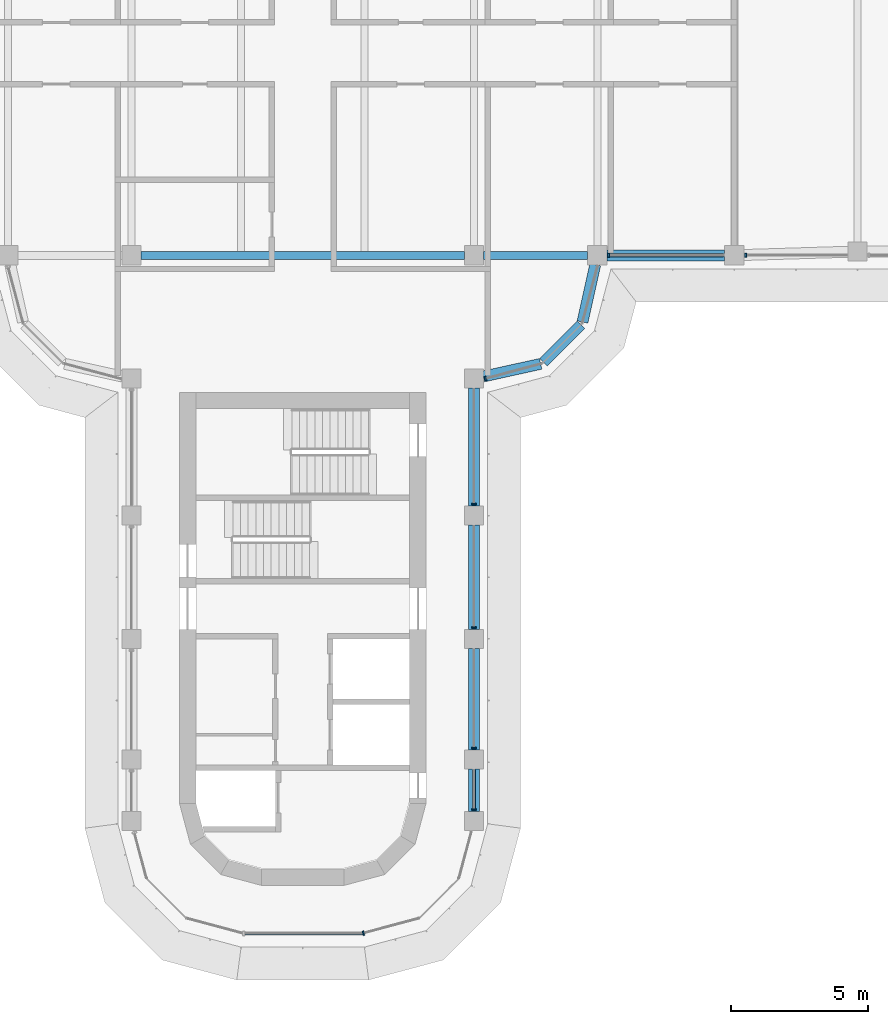
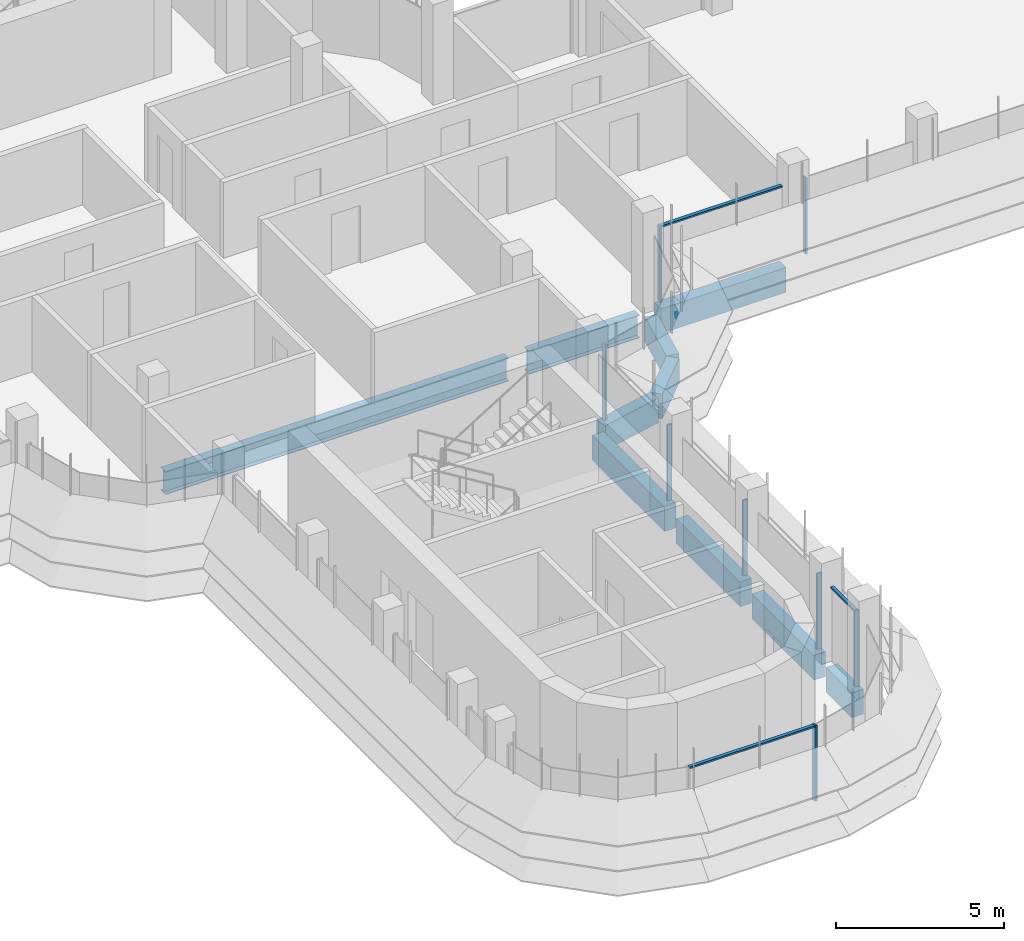
# One storey, part 4 of 18: 11 members, 10 beams, 5 elements without a shape of their own.
"""IFC4 building model written with IfcOpenShell, lengths in metres."""

from ifc_helpers import new_model, si_unit, direction, frame, origin, origin_2d, place, context, subcontext, project, spatial, polyline, rectangle, i_section, outline, extrude, source, transform, mapped, material, material_profile, profile_set, type_object, element, aggregate, save


model = new_model("IFC4")

# Units and contexts
model_context = context("Model", 3, precision=1e-05, world=origin(), true_north=direction((0.0, 1.0)))
body_context = subcontext(model_context, "Body", "Model", "MODEL_VIEW")
ifc_project = project(units=[si_unit("LENGTHUNIT", "METRE"), si_unit("AREAUNIT", "SQUARE_METRE"), si_unit("VOLUMEUNIT", "CUBIC_METRE"), si_unit("PLANEANGLEUNIT", "RADIAN"), si_unit("MASSUNIT", "GRAM", prefix="KILO")], contexts=[model_context])

# Site, building, storey
site_placement = place(None, origin())
site = spatial("IfcSite", under=ifc_project, at=site_placement, CompositionType="ELEMENT")
building_placement = place(site_placement, origin())
building = spatial("IfcBuilding", under=site, at=building_placement, Name="Zarbagh Exchange Tower", CompositionType="ELEMENT")
storey_placement = place(building_placement, frame((0.0, 0.0, 210.60009765625)))
storey = spatial("IfcBuildingStorey", under=building, at=storey_placement, Name="L51", CompositionType="ELEMENT", Elevation=210.60009765625)

# Beams
ifc_material_1 = material(Name="Steel ASTM A992 Gr 50", Category="steel")
ifc_material_profile_1 = material_profile(ifc_material_1, i_section(OverallWidth=0.2919921875, OverallDepth=0.835693359375, WebThickness=0.013916015625, FlangeThickness=0.018798828125, at=origin_2d()), Name="W33X118")
ifc_profile_set_1 = profile_set([ifc_material_profile_1], Name="Steel ASTM A992 Gr 50")
beam_type_1 = type_object("IfcBeamType", Name="Floor girder W33X118", PredefinedType="BEAM", material=ifc_profile_set_1)
beam_1_placement = place(storey_placement, frame((-5.89990234375, -6.25, -0.56787109375), z_axis=(1.0, 0.0, 0.0), x_axis=(0.0, 1.0, 0.0)))
element("IfcBeam", 1, at=beam_1_placement, inside=storey, type_object=beam_type_1, Name="Steel girder", PredefinedType="BEAM", context=body_context, shape_type="SweptSolid", body=[
    extrude(i_section(OverallWidth=0.2919921875, OverallDepth=0.835693359375, WebThickness=0.013916015625, FlangeThickness=0.018798828125, at=origin_2d()), origin(), (0.0, 0.0, 1.0), 11.7998046875),
])
beam_2_placement = place(storey_placement, frame((6.60009765625, -6.25, -0.56787109375), z_axis=(1.0, 0.0, 0.0), x_axis=(0.0, 1.0, 0.0)))
element("IfcBeam", 2, at=beam_2_placement, inside=storey, type_object=beam_type_1, Name="Steel girder", PredefinedType="BEAM", context=body_context, shape_type="SweptSolid", body=[
    extrude(i_section(OverallWidth=0.2919921875, OverallDepth=0.835693359375, WebThickness=0.013916015625, FlangeThickness=0.018798828125, at=origin_2d()), origin(), (0.0, 0.0, 1.0), 3.7998046875),
])
ifc_material_2 = material(Name="Concrete C50/60", Category="concrete")
ifc_material_profile_2 = material_profile(ifc_material_2, rectangle(XDim=0.39990234375, YDim=0.89990234375, at=origin_2d()), Name="RC spandrel beam 400 x 900 C50/60")
ifc_profile_set_2 = profile_set([ifc_material_profile_2], Name="Concrete C50/60")
beam_type_2 = type_object("IfcBeamType", Name="RC spandrel beam 400 x 900 C50/60", PredefinedType="SPANDREL", material=ifc_profile_set_2)
beam_3_placement = place(storey_placement, frame((15.39990234375, -6.25, -0.60009765625), z_axis=(-1.0, 0.0, 0.0), x_axis=(0.0, -1.0, 0.0)))
element("IfcBeam", 3, at=beam_3_placement, inside=storey, type_object=beam_type_2, Name="RC spandrel beam", PredefinedType="SPANDREL", context=body_context, shape_type="SweptSolid", body=[
    extrude(rectangle(XDim=0.39990234375, YDim=0.89990234375, at=origin_2d()), origin(), (0.0, 0.0, 1.0), 4.2998046875),
])
beam_4_placement = place(storey_placement, frame((10.67431640625, -6.591796875, -0.60009765625), z_axis=(-0.216013551096, -0.97639036545, 0.0), x_axis=(0.97639036545, -0.216013551096, 0.0)))
element("IfcBeam", 4, at=beam_4_placement, inside=storey, type_object=beam_type_2, Name="RC spandrel beam", PredefinedType="SPANDREL", context=body_context, shape_type="SweptSolid", body=[
    extrude(rectangle(XDim=0.39990234375, YDim=0.89990234375, at=origin_2d()), origin(), (0.0, 0.0, 1.0), 2.142822265625),
])
beam_5_placement = place(storey_placement, frame((10.15771484375, -8.782470703125, -0.60009765625), z_axis=(-0.707106781187, -0.707106781187, 0.0), x_axis=(0.707106781187, -0.707106781187, 0.0)))
element("IfcBeam", 5, at=beam_5_placement, inside=storey, type_object=beam_type_2, Name="RC spandrel beam", PredefinedType="SPANDREL", context=body_context, shape_type="SweptSolid", body=[
    extrude(rectangle(XDim=0.39990234375, YDim=0.89990234375, at=origin_2d()), origin(), (0.0, 0.0, 1.0), 1.94482421875),
])
beam_6_placement = place(storey_placement, frame((8.68408203125, -10.21142578125, -0.60009765625), z_axis=(-0.97639036545, -0.216013551096, 0.0), x_axis=(0.216013551096, -0.97639036545, 0.0)))
element("IfcBeam", 6, at=beam_6_placement, inside=storey, type_object=beam_type_2, Name="RC spandrel beam", PredefinedType="SPANDREL", context=body_context, shape_type="SweptSolid", body=[
    extrude(rectangle(XDim=0.39990234375, YDim=0.89990234375, at=origin_2d()), origin(), (0.0, 0.0, 1.0), 2.142822265625),
])
beam_7_placement = place(storey_placement, frame((6.25, -11.10009765625, -0.60009765625), z_axis=(0.0, -1.0, 0.0), x_axis=(1.0, 0.0, 0.0)))
element("IfcBeam", 7, at=beam_7_placement, inside=storey, type_object=beam_type_2, Name="RC spandrel beam", PredefinedType="SPANDREL", context=body_context, shape_type="SweptSolid", body=[
    extrude(rectangle(XDim=0.39990234375, YDim=0.89990234375, at=origin_2d()), origin(), (0.0, 0.0, 1.0), 4.2998046875),
])
beam_8_placement = place(storey_placement, frame((6.25, -16.10009765625, -0.60009765625), z_axis=(0.0, -1.0, 0.0), x_axis=(1.0, 0.0, 0.0)))
element("IfcBeam", 8, at=beam_8_placement, inside=storey, type_object=beam_type_2, Name="RC spandrel beam", PredefinedType="SPANDREL", context=body_context, shape_type="SweptSolid", body=[
    extrude(rectangle(XDim=0.39990234375, YDim=0.89990234375, at=origin_2d()), origin(), (0.0, 0.0, 1.0), 3.7998046875),
])
beam_9_placement = place(storey_placement, frame((6.25, -20.60009765625, -0.60009765625), z_axis=(0.0, -1.0, 0.0), x_axis=(1.0, 0.0, 0.0)))
element("IfcBeam", 9, at=beam_9_placement, inside=storey, type_object=beam_type_2, Name="RC spandrel beam", PredefinedType="SPANDREL", context=body_context, shape_type="SweptSolid", body=[
    extrude(rectangle(XDim=0.39990234375, YDim=0.89990234375, at=origin_2d()), origin(), (0.0, 0.0, 1.0), 3.699951171875),
])
beam_10_placement = place(storey_placement, frame((6.25, -25.0, -0.60009765625), z_axis=(0.0, -1.0, 0.0), x_axis=(1.0, 0.0, 0.0)))
element("IfcBeam", 10, at=beam_10_placement, inside=storey, type_object=beam_type_2, Name="RC spandrel beam", PredefinedType="SPANDREL", context=body_context, shape_type="SweptSolid", body=[
    extrude(rectangle(XDim=0.39990234375, YDim=0.89990234375, at=origin_2d()), origin(), (0.0, 0.0, 1.0), 1.550048828125),
])

# Curtain wall, member
ifc_material_3 = material(Name="Anodised aluminium frame and glazing", Category="aluminium")
curtain_wall_type = type_object("IfcCurtainWallType", Name="CWB Ribbon glazing, upper zones", PredefinedType="NOTDEFINED", material=ifc_material_3)
curtain_wall_1_placement = place(storey_placement, origin())
curtain_wall_1 = element("IfcCurtainWall", 11, at=curtain_wall_1_placement, inside=storey, type_object=curtain_wall_type, Name="CWB49 curtain wall", PredefinedType="NOTDEFINED")
ifc_material_4 = material(Name="Anodised aluminium frame", Category="aluminium")
member_type_1 = type_object("IfcMemberType", Name="MUB Mullion, anodised aluminium frame", PredefinedType="MULLION", material=ifc_material_4)
shared_shape_1 = source(origin(), body_context, "Body", "SweptSolid", [
    extrude(outline(polyline([(0.0, -0.080078125), (0.06005859375, -0.080078125), (0.06005859375, 0.080078125), (0.0, 0.080078125), (0.0, -0.080078125)])), origin(), (0.0, 0.0, 1.0), 2.75),
])
placement = place(storey_placement, origin())
member_1 = element("IfcMember", 12, at=placement, type_object=member_type_1, Name="CWB49 mullion 1.1", PredefinedType="MULLION", context=body_context, shape_type="MappedRepresentation", body=[
    mapped(shared_shape_1, transform((2.18408203125, -31.0, 0.0), x_axis=(0.965924289636, 0.258824779902, 0.0), y_axis=(-0.258824779902, 0.965924289636, 0.0), z_axis=(0.0, 0.0, 1.0))),
])
aggregate(curtain_wall_1, [member_1])

# Curtain wall, members
curtain_wall_2_placement = place(storey_placement, origin())
curtain_wall_2 = element("IfcCurtainWall", 13, at=curtain_wall_2_placement, inside=storey, type_object=curtain_wall_type, Name="CWB52 curtain wall", PredefinedType="NOTDEFINED")
member_2 = element("IfcMember", 14, at=placement, type_object=member_type_1, Name="CWB52 mullion 1.1", PredefinedType="MULLION", context=body_context, shape_type="MappedRepresentation", body=[
    mapped(shared_shape_1, transform((6.25, -26.510009765625, 0.0), x_axis=(0.0, 1.0, 0.0), y_axis=(-1.0, 0.0, 0.0), z_axis=(0.0, 0.0, 1.0))),
])
member_3 = element("IfcMember", 15, at=placement, type_object=member_type_1, Name="CWB52 mullion 2.1", PredefinedType="MULLION", context=body_context, shape_type="MappedRepresentation", body=[
    mapped(shared_shape_1, transform((6.25, -24.260009765625, 0.0), x_axis=(0.0, 1.0, 0.0), y_axis=(-1.0, 0.0, 0.0), z_axis=(0.0, 0.0, 1.0))),
])
member_4 = element("IfcMember", 16, at=placement, type_object=member_type_1, Name="CWB52 mullion 3.1", PredefinedType="MULLION", context=body_context, shape_type="MappedRepresentation", body=[
    mapped(shared_shape_1, transform((6.25, -19.85986328125, 0.0), x_axis=(0.0, 1.0, 0.0), y_axis=(-1.0, 0.0, 0.0), z_axis=(0.0, 0.0, 1.0))),
])
member_5 = element("IfcMember", 17, at=placement, type_object=member_type_1, Name="CWB52 mullion 4.1", PredefinedType="MULLION", context=body_context, shape_type="MappedRepresentation", body=[
    mapped(shared_shape_1, transform((6.25, -15.35986328125, 0.0), x_axis=(0.0, 1.0, 0.0), y_axis=(-1.0, 0.0, 0.0), z_axis=(0.0, 0.0, 1.0))),
])

# Curtain wall, member
curtain_wall_3_placement = place(storey_placement, origin())
curtain_wall_3 = element("IfcCurtainWall", 18, at=curtain_wall_3_placement, inside=storey, type_object=curtain_wall_type, Name="CWB05 curtain wall", PredefinedType="NOTDEFINED")
member_6 = element("IfcMember", 19, at=placement, type_object=member_type_1, Name="CWB05 mullion 1.1", PredefinedType="MULLION", context=body_context, shape_type="MappedRepresentation", body=[
    mapped(shared_shape_1, transform((6.64013671875, -10.76171875, 0.0), x_axis=(0.965924289636, 0.258824779902, 0.0), y_axis=(-0.258824779902, 0.965924289636, 0.0), z_axis=(0.0, 0.0, 1.0))),
])
aggregate(curtain_wall_3, [member_6])

# Curtain wall, members
curtain_wall_4_placement = place(storey_placement, origin())
curtain_wall_4 = element("IfcCurtainWall", 20, at=curtain_wall_4_placement, inside=storey, type_object=curtain_wall_type, Name="CWB08 curtain wall", PredefinedType="NOTDEFINED")
member_7 = element("IfcMember", 21, at=placement, type_object=member_type_1, Name="CWB08 mullion 1.1", PredefinedType="MULLION", context=body_context, shape_type="MappedRepresentation", body=[
    mapped(shared_shape_1, transform((11.14013671875, -6.25, 0.0), x_axis=(1.0, 0.0, 0.0), y_axis=(0.0, 1.0, 0.0), z_axis=(0.0, 0.0, 1.0))),
])
member_8 = element("IfcMember", 22, at=placement, type_object=member_type_1, Name="CWB08 mullion 2.1", PredefinedType="MULLION", context=body_context, shape_type="MappedRepresentation", body=[
    mapped(shared_shape_1, transform((16.14013671875, -6.25, 0.0), x_axis=(1.0, 0.0, 0.0), y_axis=(0.0, 1.0, 0.0), z_axis=(0.0, 0.0, 1.0))),
])

# Curtain wall, member
curtain_wall_5_placement = place(storey_placement, origin())
curtain_wall_5 = element("IfcCurtainWall", 23, at=curtain_wall_5_placement, inside=storey, type_object=curtain_wall_type, Name="CWB57 curtain wall", PredefinedType="NOTDEFINED")
member_type_2 = type_object("IfcMemberType", Name="TRB Transom, anodised aluminium frame", PredefinedType="USERDEFINED", material=ifc_material_4)
shared_shape_2 = source(origin(), body_context, "Body", "SweptSolid", [
    extrude(outline(polyline([(-0.06005859375, -0.06005859375), (0.0, -0.06005859375), (0.0, 0.06005859375), (-0.06005859375, 0.06005859375), (-0.06005859375, -0.06005859375)])), origin(), (0.0, 0.0, 1.0), 4.308349609375),
])
member_9 = element("IfcMember", 24, at=placement, type_object=member_type_2, Name="CWB57 transom 1.1", ObjectType="TRANSOM", PredefinedType="USERDEFINED", context=body_context, shape_type="MappedRepresentation", body=[
    mapped(shared_shape_2, transform((-2.124267578125, -31.0, 2.75), x_axis=(0.0, 0.0, 1.0), y_axis=(0.0, -1.0, 0.0), z_axis=(1.0, 0.0, 0.0))),
])
aggregate(curtain_wall_5, [member_9])

# Member
shared_shape_3 = source(origin(), body_context, "Body", "SweptSolid", [
    extrude(outline(polyline([(-0.06005859375, -0.06005859375), (0.0, -0.06005859375), (0.0, 0.06005859375), (-0.06005859375, 0.06005859375), (-0.06005859375, -0.06005859375)])), origin(), (0.0, 0.0, 1.0), 1.409912109375),
])
member_10 = element("IfcMember", 25, at=placement, type_object=member_type_2, Name="CWB52 transom 1.1", ObjectType="TRANSOM", PredefinedType="USERDEFINED", context=body_context, shape_type="MappedRepresentation", body=[
    mapped(shared_shape_3, transform((6.25, -26.449951171875, 2.75), x_axis=(0.0, 0.0, 1.0), y_axis=(1.0, 0.0, 0.0), z_axis=(0.0, 1.0, 0.0))),
])

aggregate(curtain_wall_2, [member_2, member_10, member_3, member_4, member_5])

shared_shape_4 = source(origin(), body_context, "Body", "SweptSolid", [
    extrude(outline(polyline([(-0.06005859375, -0.06005859375), (0.0, -0.06005859375), (0.0, 0.06005859375), (-0.06005859375, 0.06005859375), (-0.06005859375, -0.06005859375)])), origin(), (0.0, 0.0, 1.0), 4.159912109375),
])
member_11 = element("IfcMember", 26, at=placement, type_object=member_type_2, Name="CWB08 transom 1.1", ObjectType="TRANSOM", PredefinedType="USERDEFINED", context=body_context, shape_type="MappedRepresentation", body=[
    mapped(shared_shape_4, transform((11.199951171875, -6.25, 2.75), x_axis=(0.0, 0.0, 1.0), y_axis=(0.0, -1.0, 0.0), z_axis=(1.0, 0.0, 0.0))),
])

aggregate(curtain_wall_4, [member_7, member_11, member_8])

save(model, "model.ifc")
